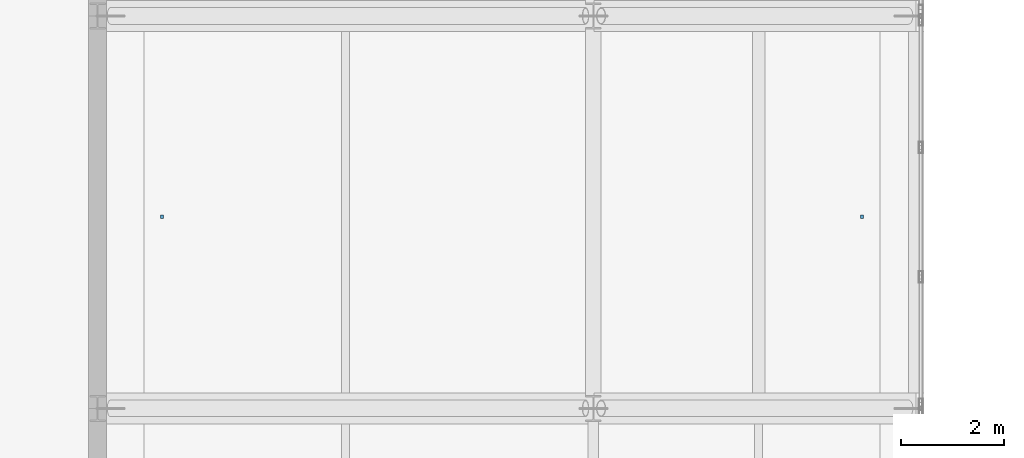
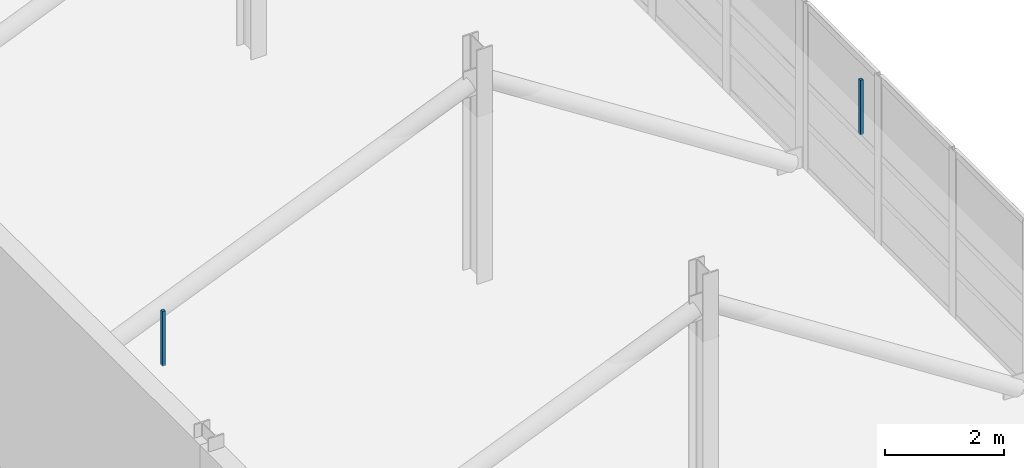
# One storey, part 81 of 107: 2 discrete accessories.
"""IFC4 building model written with IfcOpenShell, lengths in metres."""

import ifcopenshell
import ifcopenshell.guid

model = None  # the IFC model being written
_history = None  # IfcOwnerHistory: only IFC2X3 demands one
_inside = {}  # id of a spatial element -> (the spatial element, [elements in it])
_under = {}  # id of a project, library or spatial element -> (it, [spatial elements below it])
_declared = {}  # id of a project -> (the project, [libraries it declares])
_typed = {}  # id of a type object -> (the type object, [elements of that type])
_made_of = {}  # id of a material, layer set ... -> (it, [elements and type objects made of it])


def new_model(schema):
    """Start an empty IFC model of exactly this schema.

    Asked for "IFC4X3", IfcOpenShell would pick the latest addendum, in which some entities
    have other attributes; the version numbers below select the first issue.
    IFC2X3 requires an IfcOwnerHistory on every rooted entity: one is made here for all.
    """
    global model, _history
    if schema == "IFC4X3":
        model = ifcopenshell.file(schema_version=(4, 3, 0, 0))
    else:
        model = ifcopenshell.file(schema=schema)
    _inside.clear()
    _under.clear()
    _declared.clear()
    _typed.clear()
    _made_of.clear()
    _history = None
    if model.schema == "IFC2X3":
        org = make("IfcOrganization", Name="unknown")
        user = make(
            "IfcPersonAndOrganization",
            ThePerson=make("IfcPerson", FamilyName="unknown"),
            TheOrganization=org,
        )
        app = make(
            "IfcApplication",
            ApplicationDeveloper=org,
            Version="unknown",
            ApplicationFullName="unknown",
            ApplicationIdentifier="unknown",
        )
        _history = make(
            "IfcOwnerHistory",
            OwningUser=user,
            OwningApplication=app,
            ChangeAction="ADDED",
            CreationDate=0,
        )
    return model


def make(cls, **values):
    """One entity of the class cls with the attributes given. An attribute that is None is left unset."""
    return model.create_entity(
        cls, **{name: value for name, value in values.items() if value is not None}
    )


def rooted(cls, **values):
    """An entity with a GlobalId (a new one), such as an element, a storey or a relation."""
    return make(cls, GlobalId=ifcopenshell.guid.new(), OwnerHistory=_history, **values)


def si_unit(unit_type, name, prefix=None):
    """IfcSIUnit, for example si_unit("LENGTHUNIT", "METRE", prefix="MILLI")."""
    return make("IfcSIUnit", UnitType=unit_type, Prefix=prefix, Name=name)


def assignment(units):
    """IfcUnitAssignment: the units of a project."""
    return None if units is None else make("IfcUnitAssignment", Units=units)


def point(xyz):
    """IfcCartesianPoint."""
    return None if xyz is None else make("IfcCartesianPoint", Coordinates=xyz)


def direction(xyz):
    """IfcDirection."""
    return None if xyz is None else make("IfcDirection", DirectionRatios=xyz)


def frame(location, z_axis=None, x_axis=None):
    """IfcAxis2Placement3D, a coordinate frame: its origin and axes. An axis left out is left unset."""
    return make(
        "IfcAxis2Placement3D",
        Location=point(location),
        Axis=direction(z_axis),
        RefDirection=direction(x_axis),
    )


def frame_2d(location, x_axis=None):
    """IfcAxis2Placement2D, a coordinate frame in the plane: its origin and x axis."""
    return make(
        "IfcAxis2Placement2D", Location=point(location), RefDirection=direction(x_axis)
    )


def origin():
    """The frame at (0, 0, 0) with its axes left unset."""
    return frame((0.0, 0.0, 0.0))


def origin_2d():
    """The frame at (0, 0) in the plane with its x axis left unset."""
    return frame_2d((0.0, 0.0))


def place(relative_to, where):
    """IfcLocalPlacement: puts the frame where relative to a parent placement (None: the world)."""
    return make(
        "IfcLocalPlacement", PlacementRelTo=relative_to, RelativePlacement=where
    )


def context(
    kind, dimensions, precision=None, world=None, true_north=None, identifier=None
):
    """IfcGeometricRepresentationContext, for example the 3D "Model" context."""
    return make(
        "IfcGeometricRepresentationContext",
        ContextIdentifier=identifier,
        ContextType=kind,
        CoordinateSpaceDimension=dimensions,
        Precision=precision,
        WorldCoordinateSystem=world,
        TrueNorth=true_north,
    )


def subcontext(parent, identifier, kind, view, scale=None):
    """IfcGeometricRepresentationSubContext, for example "Body" below "Model"."""
    return make(
        "IfcGeometricRepresentationSubContext",
        ContextIdentifier=identifier,
        ContextType=kind,
        ParentContext=parent,
        TargetScale=scale,
        TargetView=view,
    )


def project(units=None, contexts=None):
    """IfcProject with its units and contexts."""
    return rooted(
        "IfcProject",
        Name="project",
        RepresentationContexts=contexts,
        UnitsInContext=assignment(units),
    )


def spatial(cls, under=None, at=None, **own):
    """A site, building, storey or space (cls), placed at a placement, below another one or the project."""
    s = rooted(cls, ObjectPlacement=at, **own)
    if under is not None:
        _under.setdefault(under.id(), (under, []))[1].append(s)
    return s


def profile(cls, at=None, kind="AREA", **sizes):
    """A parametric profile (cls). Its sizes go by their IFC names, for example OverallWidth=200.0."""
    return make(cls, ProfileType=kind, Position=at, **sizes)


def rectangle(**sizes):
    """IfcRectangleProfileDef."""
    return profile("IfcRectangleProfileDef", **sizes)


def extrude(swept, where, along, depth):
    """IfcExtrudedAreaSolid: the profile swept, set in the frame where, extruded along a direction by depth."""
    return make(
        "IfcExtrudedAreaSolid",
        SweptArea=swept,
        Position=where,
        ExtrudedDirection=direction(along),
        Depth=depth,
    )


def shape(context_of_items, identifier, shape_type, items):
    """IfcShapeRepresentation: the items that make up one representation, for example the "Body"."""
    return make(
        "IfcShapeRepresentation",
        ContextOfItems=context_of_items,
        RepresentationIdentifier=identifier,
        RepresentationType=shape_type,
        Items=items,
    )


def material(Name=None, Category=None):
    """IfcMaterial."""
    return make("IfcMaterial", Name=Name, Category=Category)


def made_of(thing, what):
    """Note that an element or type object is made of a material, layer set ...; save() writes the relation."""
    if what is not None:
        _made_of.setdefault(what.id(), (what, []))[1].append(thing)
    return thing


def type_object(cls, material=None, **own):
    """A type object (cls), such as IfcWallType, which elements share."""
    return made_of(rooted(cls, **own), material)


def element(
    cls,
    number,
    at=None,
    inside=None,
    cuts=None,
    type_object=None,
    material=None,
    context=None,
    identifier="Body",
    shape_type=None,
    held_by="IfcProductDefinitionShape",
    body=None,
    shapes=None,
    **own,
):
    """One element of the class cls, such as IfcWall. Its Tag is "e" and its number.

    at: its placement. inside: the storey or other place that contains it. cuts: it is an
    opening in that element (IfcRelVoidsElement). A single representation is given by context,
    identifier, shape_type and body (its items); several are given by shapes. held_by: the class
    of the entity that holds the representations. save() writes the other relations.
    """
    e = rooted(cls, Tag="e%d" % number, ObjectPlacement=at, **own)
    if body is not None:
        shapes = [shape(context, identifier, shape_type, body)]
    if shapes is not None:
        e.Representation = make(held_by, Representations=shapes)
    if inside is not None:
        _inside.setdefault(inside.id(), (inside, []))[1].append(e)
    if cuts is not None:
        rooted(
            "IfcRelVoidsElement", RelatingBuildingElement=cuts, RelatedOpeningElement=e
        )
    if type_object is not None:
        _typed.setdefault(type_object.id(), (type_object, []))[1].append(e)
    return made_of(e, material)


def aggregate(whole, parts):
    """IfcRelAggregates: a whole, such as a stair, and the parts it consists of."""
    return rooted("IfcRelAggregates", RelatingObject=whole, RelatedObjects=parts)


def save(model, path):
    """Write the relations noted so far, then the file.

    IfcRelAggregates (storeys below a building ...), IfcRelContainedInSpatialStructure (elements
    in a storey), IfcRelDefinesByType, IfcRelAssociatesMaterial and IfcRelDeclares: one each for
    every whole, place, type object, material and project.
    """
    for whole, parts in _under.values():
        aggregate(whole, parts)
    for where, things in _inside.values():
        rooted(
            "IfcRelContainedInSpatialStructure",
            RelatedElements=things,
            RelatingStructure=where,
        )
    for kind, things in _typed.values():
        rooted("IfcRelDefinesByType", RelatedObjects=things, RelatingType=kind)
    for what, things in _made_of.values():
        rooted("IfcRelAssociatesMaterial", RelatedObjects=things, RelatingMaterial=what)
    for by, libraries in _declared.values():
        rooted("IfcRelDeclares", RelatingContext=by, RelatedDefinitions=libraries)
    model.write(path)


model = new_model("IFC4")

# Units and contexts
model_context = context("Model", 3, precision=1e-05, world=origin(), true_north=direction((0.0, 1.0)))
body_context = subcontext(model_context, "Body", "Model", "MODEL_VIEW")
ifc_project = project(units=[si_unit("LENGTHUNIT", "METRE"), si_unit("AREAUNIT", "SQUARE_METRE"), si_unit("VOLUMEUNIT", "CUBIC_METRE"), si_unit("PLANEANGLEUNIT", "RADIAN"), si_unit("MASSUNIT", "GRAM", prefix="KILO")], contexts=[model_context])

# Site, building, storey
site_placement = place(None, origin())
site = spatial("IfcSite", under=ifc_project, at=site_placement, CompositionType="ELEMENT")
building_placement = place(site_placement, origin())
building = spatial("IfcBuilding", under=site, at=building_placement, Name="Khelvaren Railside Concert Hall", CompositionType="ELEMENT")
storey_placement = place(building_placement, frame((0.0, 0.0, 15.0)))
storey = spatial("IfcBuildingStorey", under=building, at=storey_placement, Name="L03", CompositionType="ELEMENT", Elevation=15.0)

# Discrete accessories
ifc_material = material(Name="Galvanised steel acoustic ceiling hanger rod", Category="steel")
discrete_accessory_type = type_object("IfcDiscreteAccessoryType", Name="BRK62", PredefinedType="BRACKET", material=ifc_material)
for number, where, z_axis, x_axis, name in (
    (1, (41.25, 26.510009765625, 3.429931640625), (0.0, 0.0, 1.0), (1.0, 0.0, 0.0), "Acoustic Ceiling Suspension Bracket 27-1"),
    (2, (54.800048828125, 26.510009765625, 3.429931640625), (0.0, 0.0, 1.0), (1.0, 0.0, 0.0), "Acoustic Ceiling Suspension Bracket 27-2"),
):
    element("IfcDiscreteAccessory", number, at=place(storey_placement, frame(where, z_axis=z_axis, x_axis=x_axis)), inside=storey, type_object=discrete_accessory_type, Name=name, PredefinedType="BRACKET", context=body_context, shape_type="SweptSolid", body=[
        extrude(rectangle(XDim=0.06005859375, YDim=0.06005859375, at=origin_2d()), origin(), (0.0, 0.0, 1.0), 1.1201171875),
    ])

save(model, "model.ifc")
